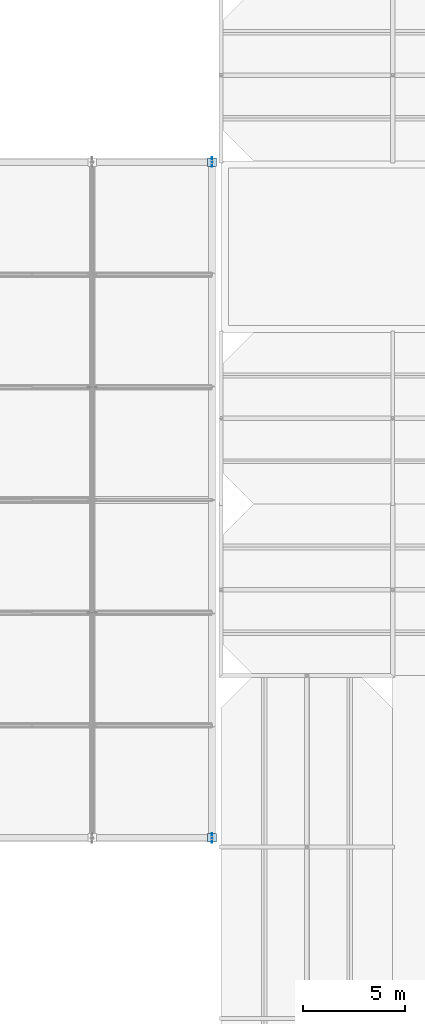
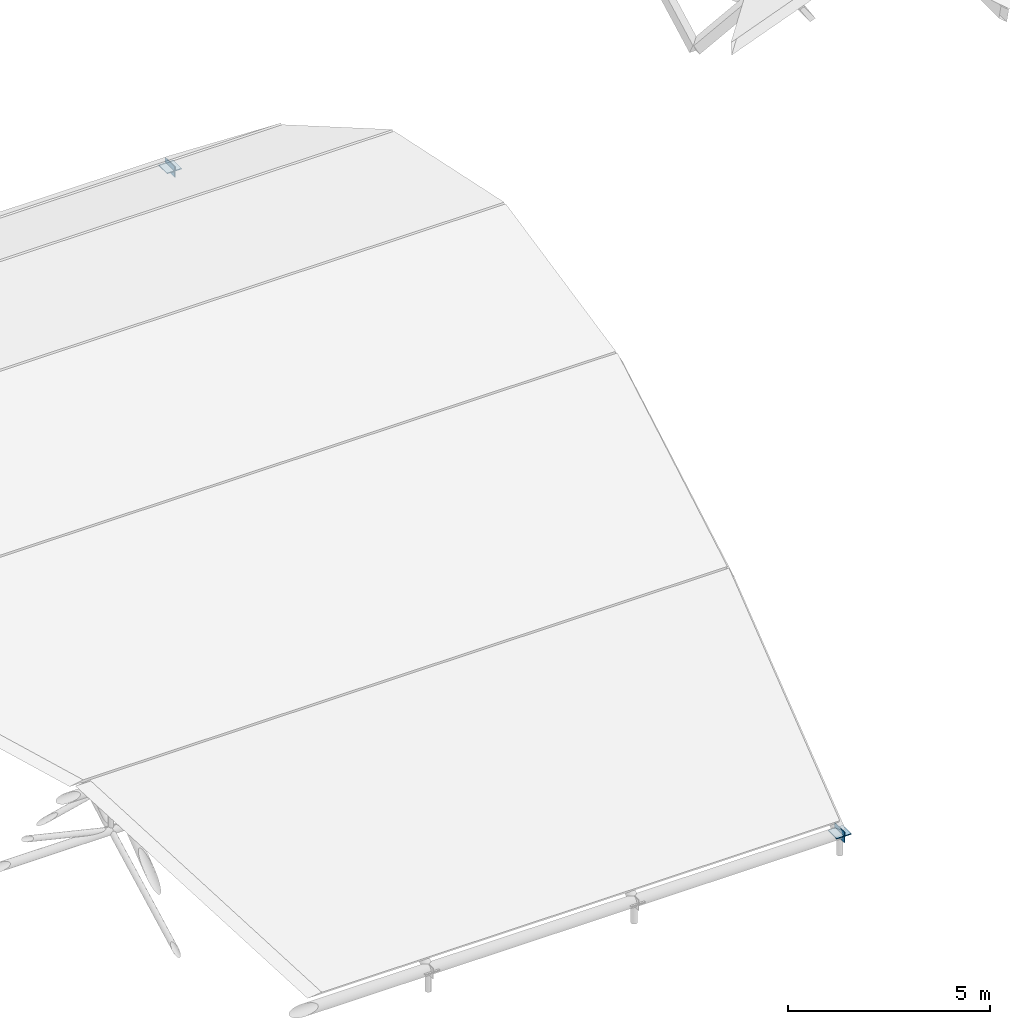
# One storey, part 81 of 82: 4 plates.
"""IFC4 building model written with IfcOpenShell, lengths in metres."""

import ifcopenshell
import ifcopenshell.guid

model = None  # the IFC model being written
_history = None  # IfcOwnerHistory: only IFC2X3 demands one
_inside = {}  # id of a spatial element -> (the spatial element, [elements in it])
_under = {}  # id of a project, library or spatial element -> (it, [spatial elements below it])
_declared = {}  # id of a project -> (the project, [libraries it declares])
_typed = {}  # id of a type object -> (the type object, [elements of that type])
_made_of = {}  # id of a material, layer set ... -> (it, [elements and type objects made of it])


def new_model(schema):
    """Start an empty IFC model of exactly this schema.

    Asked for "IFC4X3", IfcOpenShell would pick the latest addendum, in which some entities
    have other attributes; the version numbers below select the first issue.
    IFC2X3 requires an IfcOwnerHistory on every rooted entity: one is made here for all.
    """
    global model, _history
    if schema == "IFC4X3":
        model = ifcopenshell.file(schema_version=(4, 3, 0, 0))
    else:
        model = ifcopenshell.file(schema=schema)
    _inside.clear()
    _under.clear()
    _declared.clear()
    _typed.clear()
    _made_of.clear()
    _history = None
    if model.schema == "IFC2X3":
        org = make("IfcOrganization", Name="unknown")
        user = make(
            "IfcPersonAndOrganization",
            ThePerson=make("IfcPerson", FamilyName="unknown"),
            TheOrganization=org,
        )
        app = make(
            "IfcApplication",
            ApplicationDeveloper=org,
            Version="unknown",
            ApplicationFullName="unknown",
            ApplicationIdentifier="unknown",
        )
        _history = make(
            "IfcOwnerHistory",
            OwningUser=user,
            OwningApplication=app,
            ChangeAction="ADDED",
            CreationDate=0,
        )
    return model


def make(cls, **values):
    """One entity of the class cls with the attributes given. An attribute that is None is left unset."""
    return model.create_entity(
        cls, **{name: value for name, value in values.items() if value is not None}
    )


def rooted(cls, **values):
    """An entity with a GlobalId (a new one), such as an element, a storey or a relation."""
    return make(cls, GlobalId=ifcopenshell.guid.new(), OwnerHistory=_history, **values)


def si_unit(unit_type, name, prefix=None):
    """IfcSIUnit, for example si_unit("LENGTHUNIT", "METRE", prefix="MILLI")."""
    return make("IfcSIUnit", UnitType=unit_type, Prefix=prefix, Name=name)


def assignment(units):
    """IfcUnitAssignment: the units of a project."""
    return None if units is None else make("IfcUnitAssignment", Units=units)


def point(xyz):
    """IfcCartesianPoint."""
    return None if xyz is None else make("IfcCartesianPoint", Coordinates=xyz)


def direction(xyz):
    """IfcDirection."""
    return None if xyz is None else make("IfcDirection", DirectionRatios=xyz)


def frame(location, z_axis=None, x_axis=None):
    """IfcAxis2Placement3D, a coordinate frame: its origin and axes. An axis left out is left unset."""
    return make(
        "IfcAxis2Placement3D",
        Location=point(location),
        Axis=direction(z_axis),
        RefDirection=direction(x_axis),
    )


def frame_2d(location, x_axis=None):
    """IfcAxis2Placement2D, a coordinate frame in the plane: its origin and x axis."""
    return make(
        "IfcAxis2Placement2D", Location=point(location), RefDirection=direction(x_axis)
    )


def origin():
    """The frame at (0, 0, 0) with its axes left unset."""
    return frame((0.0, 0.0, 0.0))


def origin_2d():
    """The frame at (0, 0) in the plane with its x axis left unset."""
    return frame_2d((0.0, 0.0))


def place(relative_to, where):
    """IfcLocalPlacement: puts the frame where relative to a parent placement (None: the world)."""
    return make(
        "IfcLocalPlacement", PlacementRelTo=relative_to, RelativePlacement=where
    )


def context(
    kind, dimensions, precision=None, world=None, true_north=None, identifier=None
):
    """IfcGeometricRepresentationContext, for example the 3D "Model" context."""
    return make(
        "IfcGeometricRepresentationContext",
        ContextIdentifier=identifier,
        ContextType=kind,
        CoordinateSpaceDimension=dimensions,
        Precision=precision,
        WorldCoordinateSystem=world,
        TrueNorth=true_north,
    )


def subcontext(parent, identifier, kind, view, scale=None):
    """IfcGeometricRepresentationSubContext, for example "Body" below "Model"."""
    return make(
        "IfcGeometricRepresentationSubContext",
        ContextIdentifier=identifier,
        ContextType=kind,
        ParentContext=parent,
        TargetScale=scale,
        TargetView=view,
    )


def project(units=None, contexts=None):
    """IfcProject with its units and contexts."""
    return rooted(
        "IfcProject",
        Name="project",
        RepresentationContexts=contexts,
        UnitsInContext=assignment(units),
    )


def spatial(cls, under=None, at=None, **own):
    """A site, building, storey or space (cls), placed at a placement, below another one or the project."""
    s = rooted(cls, ObjectPlacement=at, **own)
    if under is not None:
        _under.setdefault(under.id(), (under, []))[1].append(s)
    return s


def profile(cls, at=None, kind="AREA", **sizes):
    """A parametric profile (cls). Its sizes go by their IFC names, for example OverallWidth=200.0."""
    return make(cls, ProfileType=kind, Position=at, **sizes)


def rectangle(**sizes):
    """IfcRectangleProfileDef."""
    return profile("IfcRectangleProfileDef", **sizes)


def extrude(swept, where, along, depth):
    """IfcExtrudedAreaSolid: the profile swept, set in the frame where, extruded along a direction by depth."""
    return make(
        "IfcExtrudedAreaSolid",
        SweptArea=swept,
        Position=where,
        ExtrudedDirection=direction(along),
        Depth=depth,
    )


def shape(context_of_items, identifier, shape_type, items):
    """IfcShapeRepresentation: the items that make up one representation, for example the "Body"."""
    return make(
        "IfcShapeRepresentation",
        ContextOfItems=context_of_items,
        RepresentationIdentifier=identifier,
        RepresentationType=shape_type,
        Items=items,
    )


def material(Name=None, Category=None):
    """IfcMaterial."""
    return make("IfcMaterial", Name=Name, Category=Category)


def layer(
    of_material, thickness, ventilated=None, Name=None, Category=None, Priority=None
):
    """IfcMaterialLayer: one layer of a wall or slab, of a material (None: an air gap)."""
    return make(
        "IfcMaterialLayer",
        Material=of_material,
        LayerThickness=thickness,
        IsVentilated=ventilated,
        Name=Name,
        Category=Category,
        Priority=Priority,
    )


def layer_set(layers, Name=None):
    """IfcMaterialLayerSet."""
    return make("IfcMaterialLayerSet", MaterialLayers=layers, LayerSetName=Name)


def made_of(thing, what):
    """Note that an element or type object is made of a material, layer set ...; save() writes the relation."""
    if what is not None:
        _made_of.setdefault(what.id(), (what, []))[1].append(thing)
    return thing


def type_object(cls, material=None, **own):
    """A type object (cls), such as IfcWallType, which elements share."""
    return made_of(rooted(cls, **own), material)


def element(
    cls,
    number,
    at=None,
    inside=None,
    cuts=None,
    type_object=None,
    material=None,
    context=None,
    identifier="Body",
    shape_type=None,
    held_by="IfcProductDefinitionShape",
    body=None,
    shapes=None,
    **own,
):
    """One element of the class cls, such as IfcWall. Its Tag is "e" and its number.

    at: its placement. inside: the storey or other place that contains it. cuts: it is an
    opening in that element (IfcRelVoidsElement). A single representation is given by context,
    identifier, shape_type and body (its items); several are given by shapes. held_by: the class
    of the entity that holds the representations. save() writes the other relations.
    """
    e = rooted(cls, Tag="e%d" % number, ObjectPlacement=at, **own)
    if body is not None:
        shapes = [shape(context, identifier, shape_type, body)]
    if shapes is not None:
        e.Representation = make(held_by, Representations=shapes)
    if inside is not None:
        _inside.setdefault(inside.id(), (inside, []))[1].append(e)
    if cuts is not None:
        rooted(
            "IfcRelVoidsElement", RelatingBuildingElement=cuts, RelatedOpeningElement=e
        )
    if type_object is not None:
        _typed.setdefault(type_object.id(), (type_object, []))[1].append(e)
    return made_of(e, material)


def aggregate(whole, parts):
    """IfcRelAggregates: a whole, such as a stair, and the parts it consists of."""
    return rooted("IfcRelAggregates", RelatingObject=whole, RelatedObjects=parts)


def save(model, path):
    """Write the relations noted so far, then the file.

    IfcRelAggregates (storeys below a building ...), IfcRelContainedInSpatialStructure (elements
    in a storey), IfcRelDefinesByType, IfcRelAssociatesMaterial and IfcRelDeclares: one each for
    every whole, place, type object, material and project.
    """
    for whole, parts in _under.values():
        aggregate(whole, parts)
    for where, things in _inside.values():
        rooted(
            "IfcRelContainedInSpatialStructure",
            RelatedElements=things,
            RelatingStructure=where,
        )
    for kind, things in _typed.values():
        rooted("IfcRelDefinesByType", RelatedObjects=things, RelatingType=kind)
    for what, things in _made_of.values():
        rooted("IfcRelAssociatesMaterial", RelatedObjects=things, RelatingMaterial=what)
    for by, libraries in _declared.values():
        rooted("IfcRelDeclares", RelatingContext=by, RelatedDefinitions=libraries)
    model.write(path)


model = new_model("IFC4")

# Units and contexts
model_context = context("Model", 3, precision=1e-05, world=origin(), true_north=direction((0.0, 1.0)))
body_context = subcontext(model_context, "Body", "Model", "MODEL_VIEW")
ifc_project = project(units=[si_unit("LENGTHUNIT", "METRE"), si_unit("AREAUNIT", "SQUARE_METRE"), si_unit("VOLUMEUNIT", "CUBIC_METRE"), si_unit("PLANEANGLEUNIT", "RADIAN"), si_unit("MASSUNIT", "GRAM", prefix="KILO")], contexts=[model_context])

# Site, building, storey
site_placement = place(None, origin())
site = spatial("IfcSite", under=ifc_project, at=site_placement, CompositionType="ELEMENT")
building_placement = place(site_placement, origin())
building = spatial("IfcBuilding", under=site, at=building_placement, Name="Bramfleet General Hospital", CompositionType="ELEMENT")
storey_placement = place(building_placement, frame((0.0, 0.0, 34.199951171875)))
storey = spatial("IfcBuildingStorey", under=building, at=storey_placement, Name="Roof", CompositionType="ELEMENT", Elevation=34.199951171875)

# Plates
ifc_material = material(Name="Steel S355", Category="steel")
ifc_layer_1 = layer(ifc_material, 0.02490234375, Name="PL-BP-420")
ifc_layer_set_1 = layer_set([ifc_layer_1], Name="Steel S355")
plate_type_1 = type_object("IfcPlateType", Name="PL-BP-420", PredefinedType="USERDEFINED", material=ifc_layer_set_1)
for number, where, z_axis, x_axis, name in (
    (1, (91.949951171875, 17.25, -19.449951171875), (0.0, 0.0, 1.0), (1.0, 0.0, 0.0), "Space Frame Bearing Base Plate 7-0"),
    (2, (91.949951171875, 50.35009765625, -19.449951171875), (0.0, 0.0, 1.0), (1.0, 0.0, 0.0), "Space Frame Bearing Base Plate 7-6"),
):
    element("IfcPlate", number, at=place(storey_placement, frame(where, z_axis=z_axis, x_axis=x_axis)), inside=storey, type_object=plate_type_1, Name=name, ObjectType="Base plate", PredefinedType="USERDEFINED", context=body_context, shape_type="SweptSolid", body=[
        extrude(rectangle(XDim=0.419921875, YDim=0.419921875, at=origin_2d()), origin(), (0.0, 0.0, 1.0), 0.02490234375),
    ])
ifc_layer_2 = layer(ifc_material, 0.01806640625, Name="PL-GP-480")
ifc_layer_set_2 = layer_set([ifc_layer_2], Name="Steel S355")
plate_type_2 = type_object("IfcPlateType", Name="PL-GP-480", PredefinedType="USERDEFINED", material=ifc_layer_set_2)
for number, where, z_axis, x_axis, name in (
    (3, (91.949951171875, 17.25, -19.60986328125), (0.0, 0.0, 1.0), (0.0, 1.0, 0.0), "Space Frame Arch Gusset Plate 7-0"),
    (4, (91.949951171875, 50.35009765625, -19.60986328125), (0.0, 0.0, 1.0), (0.0, 1.0, 0.0), "Space Frame Arch Gusset Plate 7-6"),
):
    element("IfcPlate", number, at=place(storey_placement, frame(where, z_axis=z_axis, x_axis=x_axis)), inside=storey, type_object=plate_type_2, Name=name, ObjectType="Gusset plate", PredefinedType="USERDEFINED", context=body_context, shape_type="SweptSolid", body=[
        extrude(rectangle(XDim=0.47998046875, YDim=0.01806640625, at=origin_2d()), origin(), (0.0, 0.0, 1.0), 0.320068359375),
    ])

save(model, "model.ifc")
